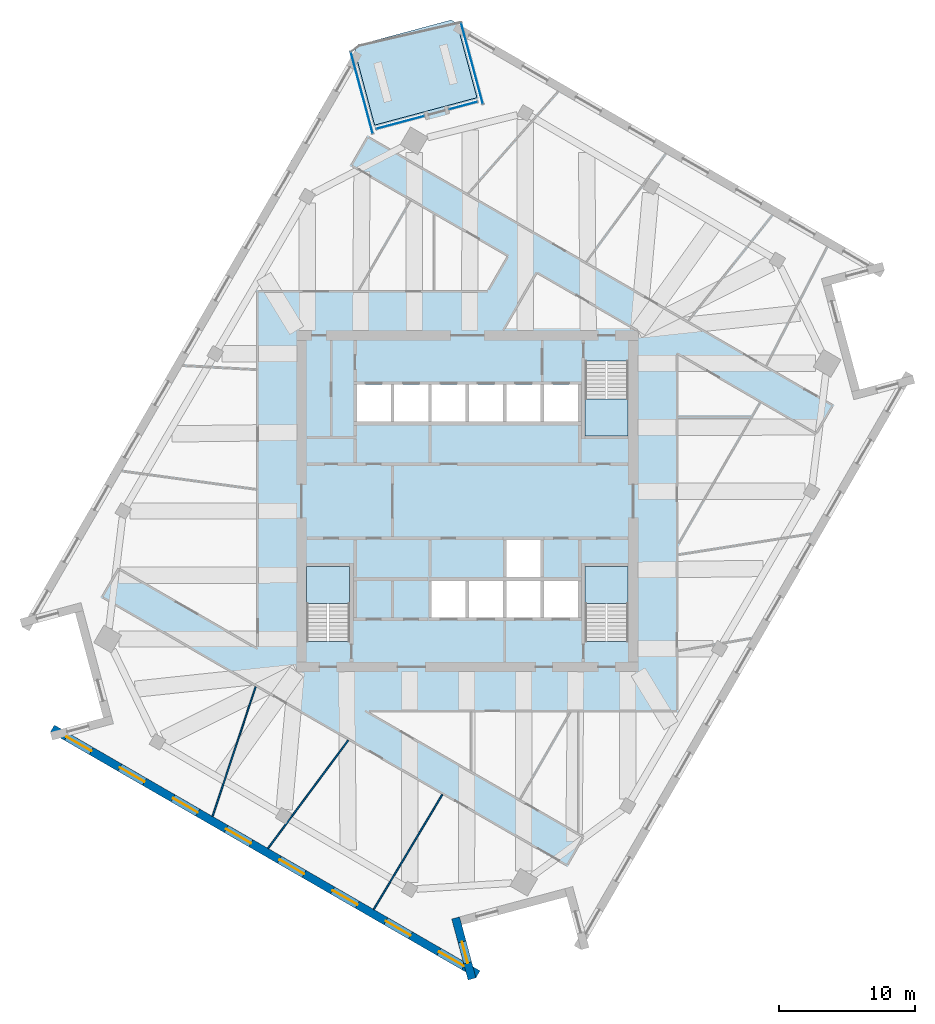
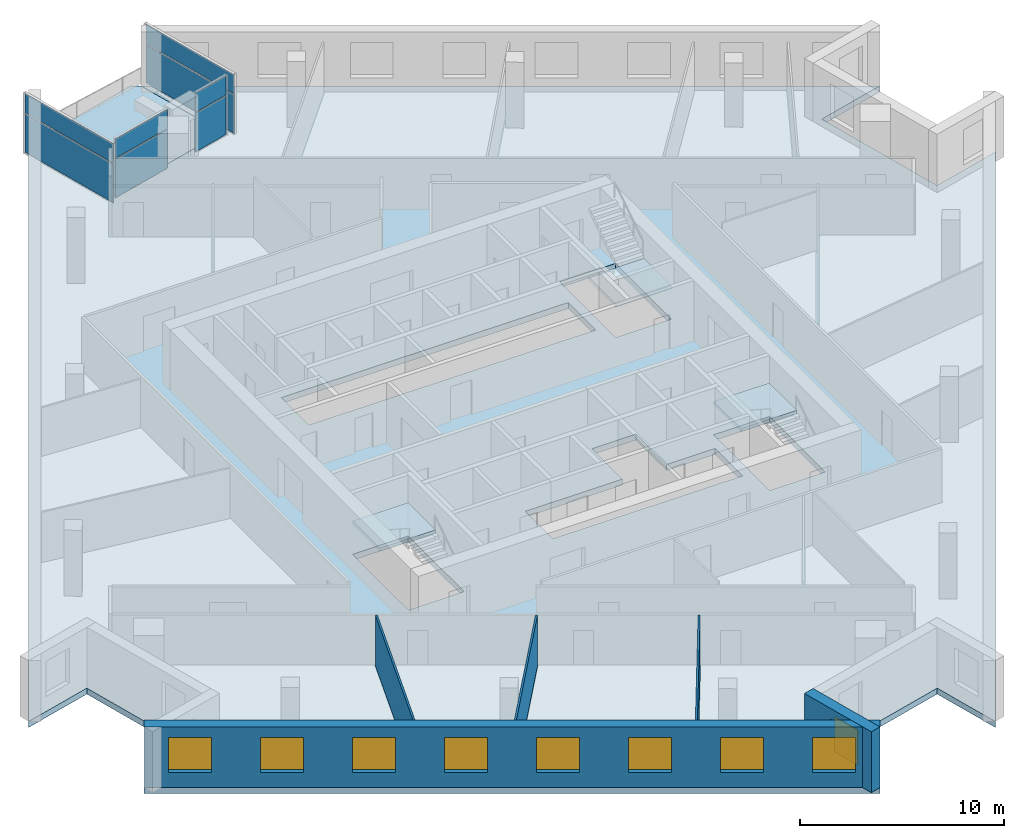
# One storey, part 5 of 13: 9 windows, 8 plates, 5 slabs, 5 walls, 9 openings, 7 elements without a shape of their own.
"""IFC4 building model written with IfcOpenShell, lengths in metres."""

from ifc_helpers import new_model, si_unit, direction, frame, frame_2d, origin, origin_2d, place, context, subcontext, project, spatial, polyline, rectangle, outline, extrude, material, layer, layer_set, type_object, element, fill, aggregate, save


model = new_model("IFC4")

# Units and contexts
model_context = context("Model", 3, precision=1e-05, world=origin(), true_north=direction((0.0, 1.0)))
body_context = subcontext(model_context, "Body", "Model", "MODEL_VIEW")
ifc_project = project(units=[si_unit("LENGTHUNIT", "METRE"), si_unit("AREAUNIT", "SQUARE_METRE"), si_unit("VOLUMEUNIT", "CUBIC_METRE"), si_unit("PLANEANGLEUNIT", "RADIAN"), si_unit("MASSUNIT", "GRAM", prefix="KILO")], contexts=[model_context])

# Site, building, storey
site_placement = place(None, origin())
site = spatial("IfcSite", under=ifc_project, at=site_placement, CompositionType="ELEMENT")
building_placement = place(site_placement, origin())
building = spatial("IfcBuilding", under=site, at=building_placement, Name="Dilmun Exchange Tower", CompositionType="ELEMENT")
storey_placement = place(building_placement, frame((0.0, 0.0, 270.89990234375)))
storey = spatial("IfcBuildingStorey", under=building, at=storey_placement, Name="L64", CompositionType="ELEMENT", Elevation=270.89990234375)

# Stair, slab
ifc_material_1 = material(Name="Concrete C40/50", Category="concrete")
stair_type = type_object("IfcStairType", Name="Exit stair 1500 half-turn", PredefinedType="HALF_TURN_STAIR", material=ifc_material_1)
stair_1_placement = place(storey_placement, origin())
stair_1 = element("IfcStair", 1, at=stair_1_placement, inside=storey, type_object=stair_type, Name="L64 Protected exit stair ST1", PredefinedType="HALF_TURN_STAIR")
ifc_layer_1 = layer(ifc_material_1, 0.199951171875)
ifc_layer_set_1 = layer_set([ifc_layer_1], Name="Concrete C40/50")
slab_type_1 = type_object("IfcSlabType", Name="Exit stair landing 200", PredefinedType="LANDING", material=ifc_layer_set_1)
slab_1_placement = place(storey_placement, frame((0.0, 0.0, 1.800048828125)))
slab_1 = element("IfcSlab", 2, at=slab_1_placement, type_object=slab_type_1, Name="ST1 landing 1", PredefinedType="LANDING", context=body_context, shape_type="SweptSolid", body=[
    extrude(outline(polyline([(8.64990234375, 7.5), (8.64990234375, 4.800048828125), (11.800048828125, 4.800048828125), (11.800048828125, 7.5), (8.64990234375, 7.5)])), origin(), (0.0, 0.0, 1.0), 0.199951171875),
])
aggregate(stair_1, [slab_1])

stair_2_placement = place(storey_placement, origin())
stair_2 = element("IfcStair", 3, at=stair_2_placement, inside=storey, type_object=stair_type, Name="L64 Protected exit stair ST2", PredefinedType="HALF_TURN_STAIR")
slab_2_placement = place(storey_placement, frame((0.0, 0.0, 1.800048828125)))
slab_2 = element("IfcSlab", 4, at=slab_2_placement, type_object=slab_type_1, Name="ST2 landing 1", PredefinedType="LANDING", context=body_context, shape_type="SweptSolid", body=[
    extrude(outline(polyline([(-8.64990234375, -7.5), (-8.64990234375, -4.800048828125), (-11.800048828125, -4.800048828125), (-11.800048828125, -7.5), (-8.64990234375, -7.5)])), origin(), (0.0, 0.0, 1.0), 0.199951171875),
])
aggregate(stair_2, [slab_2])

stair_3_placement = place(storey_placement, origin())
stair_3 = element("IfcStair", 5, at=stair_3_placement, inside=storey, type_object=stair_type, Name="L64 Protected exit stair ST3", PredefinedType="HALF_TURN_STAIR")
slab_3_placement = place(storey_placement, frame((0.0, 0.0, 1.800048828125)))
slab_3 = element("IfcSlab", 6, at=slab_3_placement, type_object=slab_type_1, Name="ST3 landing 1", PredefinedType="LANDING", context=body_context, shape_type="SweptSolid", body=[
    extrude(outline(polyline([(11.800048828125, -7.5), (11.800048828125, -4.800048828125), (8.64990234375, -4.800048828125), (8.64990234375, -7.5), (11.800048828125, -7.5)])), origin(), (0.0, 0.0, 1.0), 0.199951171875),
])
aggregate(stair_3, [slab_3])

# Curtain wall, plates
ifc_material_2 = material(Name="Anodised aluminium and clear glass", Category="aluminium")
curtain_wall_type = type_object("IfcCurtainWallType", Name="Garden corner glazing", PredefinedType="NOTDEFINED", material=ifc_material_2)
curtain_wall_1_placement = place(storey_placement, origin())
curtain_wall_1 = element("IfcCurtainWall", 7, at=curtain_wall_1_placement, inside=storey, type_object=curtain_wall_type, Name="Garden corner glazing run GC1.1", PredefinedType="NOTDEFINED")
ifc_material_3 = material(Name="Clear glass", Category="glass")
ifc_layer_2 = layer(ifc_material_3, 0.028076171875)
ifc_layer_set_2 = layer_set([ifc_layer_2], Name="Clear glass")
plate_type = type_object("IfcPlateType", Name="Garden corner glazing glass panel 28", PredefinedType="CURTAIN_PANEL", material=ifc_layer_set_2)
plate_1_placement = place(storey_placement, frame((0.33642578125, 32.1416015625, 0.06005859375), z_axis=(0.0, 0.0, 1.0), x_axis=(0.258819306883, -0.965925756145, 0.0)))
plate_1 = element("IfcPlate", 8, at=plate_1_placement, type_object=plate_type, Name="GC1.1 panel 1.1", PredefinedType="CURTAIN_PANEL", context=body_context, shape_type="SweptSolid", body=[
    extrude(rectangle(XDim=6.12646484375, YDim=0.028076171875, at=origin_2d()), origin(), (0.0, 0.0, 1.0), 2.31005859375),
])
plate_2_placement = place(storey_placement, frame((0.33642578125, 32.1416015625, 2.43017578125), z_axis=(0.0, 0.0, 1.0), x_axis=(0.258819306883, -0.965925756145, 0.0)))
plate_2 = element("IfcPlate", 9, at=plate_2_placement, type_object=plate_type, Name="GC1.1 panel 1.2", PredefinedType="CURTAIN_PANEL", context=body_context, shape_type="SweptSolid", body=[
    extrude(rectangle(XDim=6.12646484375, YDim=0.028076171875, at=origin_2d()), origin(), (0.0, 0.0, 1.0), 1.14990234375),
])
aggregate(curtain_wall_1, [plate_1, plate_2])

curtain_wall_2_placement = place(storey_placement, origin())
curtain_wall_2 = element("IfcCurtainWall", 10, at=curtain_wall_2_placement, inside=storey, type_object=curtain_wall_type, Name="Garden corner glazing run GC2.1", PredefinedType="NOTDEFINED")
plate_3_placement = place(storey_placement, frame((-0.303955078125, 29.047119140625, 0.06005859375), z_axis=(0.0, 0.0, 1.0), x_axis=(-0.965928116621, -0.258810497317, 0.0)))
plate_3 = element("IfcPlate", 11, at=plate_3_placement, type_object=plate_type, Name="GC2.1 panel 1.1", PredefinedType="CURTAIN_PANEL", context=body_context, shape_type="SweptSolid", body=[
    extrude(rectangle(XDim=2.119140625, YDim=0.028076171875, at=origin_2d()), origin(), (0.0, 0.0, 1.0), 2.31005859375),
])
plate_4_placement = place(storey_placement, frame((-0.303955078125, 29.047119140625, 2.43017578125), z_axis=(0.0, 0.0, 1.0), x_axis=(-0.965928116621, -0.258810497317, 0.0)))
plate_4 = element("IfcPlate", 12, at=plate_4_placement, type_object=plate_type, Name="GC2.1 panel 1.2", PredefinedType="CURTAIN_PANEL", context=body_context, shape_type="SweptSolid", body=[
    extrude(rectangle(XDim=2.119140625, YDim=0.028076171875, at=origin_2d()), origin(), (0.0, 0.0, 1.0), 1.14990234375),
])
aggregate(curtain_wall_2, [plate_3, plate_4])

curtain_wall_3_placement = place(storey_placement, origin())
curtain_wall_3 = element("IfcCurtainWall", 13, at=curtain_wall_3_placement, inside=storey, type_object=curtain_wall_type, Name="Garden corner glazing run GC2.3", PredefinedType="NOTDEFINED")
plate_5_placement = place(storey_placement, frame((-4.929931640625, 27.8076171875, 0.06005859375), z_axis=(0.0, 0.0, 1.0), x_axis=(-0.965927518126, -0.258812731, 0.0)))
plate_5 = element("IfcPlate", 14, at=plate_5_placement, type_object=plate_type, Name="GC2.3 panel 1.1", PredefinedType="CURTAIN_PANEL", context=body_context, shape_type="SweptSolid", body=[
    extrude(rectangle(XDim=3.618896484375, YDim=0.028076171875, at=origin_2d()), origin(), (0.0, 0.0, 1.0), 2.31005859375),
])
plate_6_placement = place(storey_placement, frame((-4.929931640625, 27.8076171875, 2.43017578125), z_axis=(0.0, 0.0, 1.0), x_axis=(-0.965927518126, -0.258812731, 0.0)))
plate_6 = element("IfcPlate", 15, at=plate_6_placement, type_object=plate_type, Name="GC2.3 panel 1.2", PredefinedType="CURTAIN_PANEL", context=body_context, shape_type="SweptSolid", body=[
    extrude(rectangle(XDim=3.618896484375, YDim=0.028076171875, at=origin_2d()), origin(), (0.0, 0.0, 1.0), 1.14990234375),
])
aggregate(curtain_wall_3, [plate_5, plate_6])

curtain_wall_4_placement = place(storey_placement, origin())
curtain_wall_4 = element("IfcCurtainWall", 16, at=curtain_wall_4_placement, inside=storey, type_object=curtain_wall_type, Name="Garden corner glazing run GC3.1", PredefinedType="NOTDEFINED")
plate_7_placement = place(storey_placement, frame((-7.75634765625, 29.97314453125, 0.06005859375), z_axis=(0.0, 0.0, 1.0), x_axis=(-0.258819306883, 0.965925756145, 0.0)))
plate_7 = element("IfcPlate", 17, at=plate_7_placement, type_object=plate_type, Name="GC3.1 panel 1.1", PredefinedType="CURTAIN_PANEL", context=body_context, shape_type="SweptSolid", body=[
    extrude(rectangle(XDim=6.12646484375, YDim=0.028076171875, at=origin_2d()), origin(), (0.0, 0.0, 1.0), 2.31005859375),
])
plate_8_placement = place(storey_placement, frame((-7.75634765625, 29.97314453125, 2.43017578125), z_axis=(0.0, 0.0, 1.0), x_axis=(-0.258819306883, 0.965925756145, 0.0)))
plate_8 = element("IfcPlate", 18, at=plate_8_placement, type_object=plate_type, Name="GC3.1 panel 1.2", PredefinedType="CURTAIN_PANEL", context=body_context, shape_type="SweptSolid", body=[
    extrude(rectangle(XDim=6.12646484375, YDim=0.028076171875, at=origin_2d()), origin(), (0.0, 0.0, 1.0), 1.14990234375),
])
aggregate(curtain_wall_4, [plate_7, plate_8])

# Slabs
ifc_layer_3 = layer(ifc_material_1, 0.360107421875)
ifc_layer_set_3 = layer_set([ifc_layer_3], Name="Concrete C40/50")
slab_type_2 = type_object("IfcSlabType", Name="RC floor slab 360", PredefinedType="FLOOR", material=ifc_layer_set_3)
slab_4_placement = place(storey_placement, frame((0.0, 0.0, -0.35986328125)))
element("IfcSlab", 19, at=slab_4_placement, inside=storey, type_object=slab_type_2, Name="Floor slab", PredefinedType="FLOOR", context=body_context, shape_type="SweptSolid", body=[
    extrude(outline(polyline([(26.727783203125, 15.914794921875), (28.79833984375, 8.187255859375), (32.6962890625, 9.231689453125), (8.353271484375, -32.931884765625), (7.308837890625, -29.03369140625), (-0.418701171875, -31.104248046875), (0.625732421875, -35.002197265625), (-30.625732421875, -16.959228515625), (-26.727783203125, -15.914794921875), (-28.79833984375, -8.187255859375), (-32.6962890625, -9.231689453125), (-8.27490234375, 33.067626953125), (-6.8134765625, 27.613525390625), (0.69970703125, 29.626708984375), (-0.76171875, 35.080810546875), (30.625732421875, 16.959228515625), (26.727783203125, 15.914794921875)]), holes=[polyline([(-8.64990234375, -4.800048828125), (-11.800048828125, -4.800048828125), (-11.800048828125, -10.294921875), (-8.64990234375, -10.294921875), (-8.64990234375, -4.800048828125)]), polyline([(11.800048828125, -4.800048828125), (8.64990234375, -4.800048828125), (8.64990234375, -10.294921875), (11.800048828125, -10.294921875), (11.800048828125, -4.800048828125)]), polyline([(2.875, -5.85009765625), (-2.625, -5.85009765625), (-2.625, -8.550048828125), (8.125, -8.550048828125), (8.125, -5.85009765625), (5.375, -5.85009765625), (5.375, -2.85009765625), (2.875, -2.85009765625), (2.875, -5.85009765625)]), polyline([(8.125, 5.85009765625), (8.125, 8.550048828125), (-8.125, 8.550048828125), (-8.125, 5.85009765625), (8.125, 5.85009765625)]), polyline([(8.64990234375, 10.294921875), (8.64990234375, 4.800048828125), (11.800048828125, 4.800048828125), (11.800048828125, 10.294921875), (8.64990234375, 10.294921875)])]), origin(), (0.0, 0.0, 1.0), 0.35986328125),
])
ifc_layer_4 = layer(ifc_material_1, 0.300048828125)
ifc_layer_set_4 = layer_set([ifc_layer_4], Name="Concrete C40/50")
slab_type_3 = type_object("IfcSlabType", Name="RC garden terrace slab 300", PredefinedType="FLOOR", material=ifc_layer_set_4)
slab_5_placement = place(storey_placement, frame((0.0, 0.0, -0.2998046875)))
element("IfcSlab", 20, at=slab_5_placement, inside=storey, type_object=slab_type_3, Name="Garden terrace slab", PredefinedType="FLOOR", context=body_context, shape_type="SweptSolid", body=[
    extrude(outline(polyline([(-6.8134765625, 27.613525390625), (-8.27490234375, 33.067626953125), (-8.02490234375, 33.50048828125), (-1.194580078125, 35.330810546875), (-0.76171875, 35.080810546875), (0.69970703125, 29.626708984375), (-6.8134765625, 27.613525390625)])), origin(), (0.0, 0.0, 1.0), 0.2998046875),
])

# Walls
ifc_material_4 = material(Name="Partition 100")
ifc_layer_5 = layer(ifc_material_4, 0.10009765625)
ifc_layer_set_5 = layer_set([ifc_layer_5], Name="Partition 100")
wall_type_1 = type_object("IfcWallType", Name="Partition 100", PredefinedType="PARTITIONING", material=ifc_layer_set_5)
wall_1_placement = place(storey_placement, frame((-18.711181640625, -23.142822265625, 0.0), z_axis=(0.0, 0.0, 1.0), x_axis=(0.315197061925, 0.949026244186, 0.0)))
element("IfcWall", 21, at=wall_1_placement, inside=storey, type_object=wall_type_1, Name="Partition", PredefinedType="PARTITIONING", context=body_context, shape_type="SweptSolid", body=[
    extrude(rectangle(XDim=10.021240234375, YDim=0.10009765625, at=frame_2d((5.0107421875, 0.0))), origin(), (0.0, 0.0, 1.0), 3.0400390625),
])
wall_2_placement = place(storey_placement, frame((-14.639892578125, -25.493408203125, 0.0), z_axis=(0.0, 0.0, 1.0), x_axis=(0.596096620962, 0.802912709127, 0.0)))
element("IfcWall", 22, at=wall_2_placement, inside=storey, type_object=wall_type_1, Name="Partition", PredefinedType="PARTITIONING", context=body_context, shape_type="SweptSolid", body=[
    extrude(rectangle(XDim=9.88525390625, YDim=0.10009765625, at=frame_2d((4.942626953125, 0.0))), origin(), (0.0, 0.0, 1.0), 3.0400390625),
])
wall_3_placement = place(storey_placement, frame((-6.87841796875, -29.974609375, 0.0), z_axis=(0.0, 0.0, 1.0), x_axis=(0.512748240754, 0.858539015772, 0.0)))
element("IfcWall", 23, at=wall_3_placement, inside=storey, type_object=wall_type_1, Name="Partition", PredefinedType="PARTITIONING", context=body_context, shape_type="SweptSolid", body=[
    extrude(rectangle(XDim=9.82666015625, YDim=0.10009765625, at=frame_2d((4.913330078125, 0.0))), origin(), (0.0, 0.0, 1.0), 3.0400390625),
])

# Wall, openings, windows
ifc_material_5 = material(Name="Precast concrete C50/60", Category="concrete")
ifc_layer_6 = layer(ifc_material_5, 0.60009765625)
ifc_layer_set_6 = layer_set([ifc_layer_6], Name="Precast concrete C50/60")
wall_type_2 = type_object("IfcWallType", Name="Precast stone-clad wall 600", PredefinedType="STANDARD", material=ifc_layer_set_6)
wall_4_placement = place(storey_placement, frame((-30.475830078125, -16.699462890625, 0.0), z_axis=(0.0, 0.0, 1.0), x_axis=(0.866027969777, -0.499995555543, 0.0)))
wall_4 = element("IfcWall", 24, at=wall_4_placement, inside=storey, type_object=wall_type_2, Name="Facade wall L64-07", PredefinedType="STANDARD", context=body_context, shape_type="SweptSolid", body=[
    extrude(rectangle(XDim=36.086181640625, YDim=0.60009765625, at=frame_2d((18.04296875, 0.0))), origin(), (0.0, 0.0, 1.0), 3.64013671875),
])
opening_1_placement = place(wall_4_placement, frame((1.205322265625, 0.0, 0.89990234375)))
opening_1 = element("IfcOpeningElement", 25, at=opening_1_placement, cuts=wall_4, Name="Opening W210-210", PredefinedType="OPENING", context=body_context, shape_type="SweptSolid", body=[
    extrude(rectangle(XDim=2.10009765625, YDim=2.10009765625, at=frame_2d((1.050048828125, 1.050048828125))), frame((0.0, 0.31005859375, 0.0), z_axis=(0.0, -1.0, 0.0), x_axis=(1.0, 0.0, 0.0)), (0.0, 0.0, 1.0), 0.6201171875),
])
opening_2_placement = place(wall_4_placement, frame((5.71630859375, 0.0, 0.89990234375)))
opening_2 = element("IfcOpeningElement", 26, at=opening_2_placement, cuts=wall_4, Name="Opening W210-210", PredefinedType="OPENING", context=body_context, shape_type="SweptSolid", body=[
    extrude(rectangle(XDim=2.10009765625, YDim=2.10009765625, at=frame_2d((1.050048828125, 1.050048828125))), frame((0.0, 0.31005859375, 0.0), z_axis=(0.0, -1.0, 0.0), x_axis=(1.0, 0.0, 0.0)), (0.0, 0.0, 1.0), 0.6201171875),
])
opening_3_placement = place(wall_4_placement, frame((10.22705078125, 0.0, 0.89990234375)))
opening_3 = element("IfcOpeningElement", 27, at=opening_3_placement, cuts=wall_4, Name="Opening W210-210", PredefinedType="OPENING", context=body_context, shape_type="SweptSolid", body=[
    extrude(rectangle(XDim=2.10009765625, YDim=2.10009765625, at=frame_2d((1.050048828125, 1.050048828125))), frame((0.0, 0.31005859375, 0.0), z_axis=(0.0, -1.0, 0.0), x_axis=(1.0, 0.0, 0.0)), (0.0, 0.0, 1.0), 0.6201171875),
])
opening_4_placement = place(wall_4_placement, frame((14.73779296875, 0.0, 0.89990234375)))
opening_4 = element("IfcOpeningElement", 28, at=opening_4_placement, cuts=wall_4, Name="Opening W210-210", PredefinedType="OPENING", context=body_context, shape_type="SweptSolid", body=[
    extrude(rectangle(XDim=2.10009765625, YDim=2.10009765625, at=frame_2d((1.050048828125, 1.050048828125))), frame((0.0, 0.31005859375, 0.0), z_axis=(0.0, -1.0, 0.0), x_axis=(1.0, 0.0, 0.0)), (0.0, 0.0, 1.0), 0.6201171875),
])
opening_5_placement = place(wall_4_placement, frame((19.24853515625, 0.0, 0.89990234375)))
opening_5 = element("IfcOpeningElement", 29, at=opening_5_placement, cuts=wall_4, Name="Opening W210-210", PredefinedType="OPENING", context=body_context, shape_type="SweptSolid", body=[
    extrude(rectangle(XDim=2.10009765625, YDim=2.10009765625, at=frame_2d((1.050048828125, 1.050048828125))), frame((0.0, 0.31005859375, 0.0), z_axis=(0.0, -1.0, 0.0), x_axis=(1.0, 0.0, 0.0)), (0.0, 0.0, 1.0), 0.6201171875),
])
opening_6_placement = place(wall_4_placement, frame((23.75927734375, 0.0, 0.89990234375)))
opening_6 = element("IfcOpeningElement", 30, at=opening_6_placement, cuts=wall_4, Name="Opening W210-210", PredefinedType="OPENING", context=body_context, shape_type="SweptSolid", body=[
    extrude(rectangle(XDim=2.10009765625, YDim=2.10009765625, at=frame_2d((1.050048828125, 1.050048828125))), frame((0.0, 0.31005859375, 0.0), z_axis=(0.0, -1.0, 0.0), x_axis=(1.0, 0.0, 0.0)), (0.0, 0.0, 1.0), 0.6201171875),
])
opening_7_placement = place(wall_4_placement, frame((28.27001953125, 0.0, 0.89990234375)))
opening_7 = element("IfcOpeningElement", 31, at=opening_7_placement, cuts=wall_4, Name="Opening W210-210", PredefinedType="OPENING", context=body_context, shape_type="SweptSolid", body=[
    extrude(rectangle(XDim=2.10009765625, YDim=2.10009765625, at=frame_2d((1.050048828125, 1.050048828125))), frame((0.0, 0.31005859375, 0.0), z_axis=(0.0, -1.0, 0.0), x_axis=(1.0, 0.0, 0.0)), (0.0, 0.0, 1.0), 0.6201171875),
])
opening_8_placement = place(wall_4_placement, frame((32.781005859375, 0.0, 0.89990234375)))
opening_8 = element("IfcOpeningElement", 32, at=opening_8_placement, cuts=wall_4, Name="Opening W210-210", PredefinedType="OPENING", context=body_context, shape_type="SweptSolid", body=[
    extrude(rectangle(XDim=2.10009765625, YDim=2.10009765625, at=frame_2d((1.050048828125, 1.050048828125))), frame((0.0, 0.31005859375, 0.0), z_axis=(0.0, -1.0, 0.0), x_axis=(1.0, 0.0, 0.0)), (0.0, 0.0, 1.0), 0.6201171875),
])
ifc_material_6 = material(Name="Clear low-emissivity glass in aluminium frame", Category="aluminium")
window_type_1 = type_object("IfcWindowType", Name="Punched window 2100 x 2100", PartitioningType="DOUBLE_PANEL_VERTICAL", PredefinedType="WINDOW", material=ifc_material_6)
window_1_placement = place(opening_1_placement, origin())
window_1 = element("IfcWindow", 33, at=window_1_placement, inside=storey, type_object=window_type_1, Name="Window 8.1", OverallHeight=2.10009765625, OverallWidth=2.10009765625, PartitioningType="SINGLE_PANEL", PredefinedType="WINDOW", context=body_context, shape_type="SweptSolid", body=[
    extrude(rectangle(XDim=2.10009765625, YDim=2.10009765625, at=frame_2d((1.050048828125, 1.050048828125))), frame((0.0, 0.030029296875, 0.0), z_axis=(0.0, -1.0, 0.0), x_axis=(1.0, 0.0, 0.0)), (0.0, 0.0, 1.0), 0.06005859375),
])
fill(opening_1, window_1)
window_2_placement = place(opening_2_placement, origin())
window_2 = element("IfcWindow", 34, at=window_2_placement, inside=storey, type_object=window_type_1, Name="Window 8.2", OverallHeight=2.10009765625, OverallWidth=2.10009765625, PartitioningType="SINGLE_PANEL", PredefinedType="WINDOW", context=body_context, shape_type="SweptSolid", body=[
    extrude(rectangle(XDim=2.10009765625, YDim=2.10009765625, at=frame_2d((1.050048828125, 1.050048828125))), frame((0.0, 0.030029296875, 0.0), z_axis=(0.0, -1.0, 0.0), x_axis=(1.0, 0.0, 0.0)), (0.0, 0.0, 1.0), 0.06005859375),
])
fill(opening_2, window_2)
window_3_placement = place(opening_3_placement, origin())
window_3 = element("IfcWindow", 35, at=window_3_placement, inside=storey, type_object=window_type_1, Name="Window 8.3", OverallHeight=2.10009765625, OverallWidth=2.10009765625, PartitioningType="SINGLE_PANEL", PredefinedType="WINDOW", context=body_context, shape_type="SweptSolid", body=[
    extrude(rectangle(XDim=2.10009765625, YDim=2.10009765625, at=frame_2d((1.050048828125, 1.050048828125))), frame((0.0, 0.030029296875, 0.0), z_axis=(0.0, -1.0, 0.0), x_axis=(1.0, 0.0, 0.0)), (0.0, 0.0, 1.0), 0.06005859375),
])
fill(opening_3, window_3)
window_4_placement = place(opening_4_placement, origin())
window_4 = element("IfcWindow", 36, at=window_4_placement, inside=storey, type_object=window_type_1, Name="Window 8.4", OverallHeight=2.10009765625, OverallWidth=2.10009765625, PartitioningType="SINGLE_PANEL", PredefinedType="WINDOW", context=body_context, shape_type="SweptSolid", body=[
    extrude(rectangle(XDim=2.10009765625, YDim=2.10009765625, at=frame_2d((1.050048828125, 1.050048828125))), frame((0.0, 0.030029296875, 0.0), z_axis=(0.0, -1.0, 0.0), x_axis=(1.0, 0.0, 0.0)), (0.0, 0.0, 1.0), 0.06005859375),
])
fill(opening_4, window_4)
window_5_placement = place(opening_5_placement, origin())
window_5 = element("IfcWindow", 37, at=window_5_placement, inside=storey, type_object=window_type_1, Name="Window 8.5", OverallHeight=2.10009765625, OverallWidth=2.10009765625, PartitioningType="SINGLE_PANEL", PredefinedType="WINDOW", context=body_context, shape_type="SweptSolid", body=[
    extrude(rectangle(XDim=2.10009765625, YDim=2.10009765625, at=frame_2d((1.050048828125, 1.050048828125))), frame((0.0, 0.030029296875, 0.0), z_axis=(0.0, -1.0, 0.0), x_axis=(1.0, 0.0, 0.0)), (0.0, 0.0, 1.0), 0.06005859375),
])
fill(opening_5, window_5)
window_6_placement = place(opening_6_placement, origin())
window_6 = element("IfcWindow", 38, at=window_6_placement, inside=storey, type_object=window_type_1, Name="Window 8.6", OverallHeight=2.10009765625, OverallWidth=2.10009765625, PartitioningType="SINGLE_PANEL", PredefinedType="WINDOW", context=body_context, shape_type="SweptSolid", body=[
    extrude(rectangle(XDim=2.10009765625, YDim=2.10009765625, at=frame_2d((1.050048828125, 1.050048828125))), frame((0.0, 0.030029296875, 0.0), z_axis=(0.0, -1.0, 0.0), x_axis=(1.0, 0.0, 0.0)), (0.0, 0.0, 1.0), 0.06005859375),
])
fill(opening_6, window_6)
window_7_placement = place(opening_7_placement, origin())
window_7 = element("IfcWindow", 39, at=window_7_placement, inside=storey, type_object=window_type_1, Name="Window 8.7", OverallHeight=2.10009765625, OverallWidth=2.10009765625, PartitioningType="SINGLE_PANEL", PredefinedType="WINDOW", context=body_context, shape_type="SweptSolid", body=[
    extrude(rectangle(XDim=2.10009765625, YDim=2.10009765625, at=frame_2d((1.050048828125, 1.050048828125))), frame((0.0, 0.030029296875, 0.0), z_axis=(0.0, -1.0, 0.0), x_axis=(1.0, 0.0, 0.0)), (0.0, 0.0, 1.0), 0.06005859375),
])
fill(opening_7, window_7)
window_8_placement = place(opening_8_placement, origin())
window_8 = element("IfcWindow", 40, at=window_8_placement, inside=storey, type_object=window_type_1, Name="Window 8.8", OverallHeight=2.10009765625, OverallWidth=2.10009765625, PartitioningType="SINGLE_PANEL", PredefinedType="WINDOW", context=body_context, shape_type="SweptSolid", body=[
    extrude(rectangle(XDim=2.10009765625, YDim=2.10009765625, at=frame_2d((1.050048828125, 1.050048828125))), frame((0.0, 0.030029296875, 0.0), z_axis=(0.0, -1.0, 0.0), x_axis=(1.0, 0.0, 0.0)), (0.0, 0.0, 1.0), 0.06005859375),
])
fill(opening_8, window_8)

# Wall, opening, window
wall_5_placement = place(storey_placement, frame((0.3359375, -35.080078125, 0.0), z_axis=(0.0, 0.0, 1.0), x_axis=(-0.258796631638, 0.96593183168, 0.0)))
wall_5 = element("IfcWall", 41, at=wall_5_placement, inside=storey, type_object=wall_type_2, Name="Facade wall L64-08", PredefinedType="STANDARD", context=body_context, shape_type="SweptSolid", body=[
    extrude(rectangle(XDim=4.6357421875, YDim=0.60009765625, at=frame_2d((2.31787109375, 0.0))), origin(), (0.0, 0.0, 1.0), 3.64013671875),
])
opening_9_placement = place(wall_5_placement, frame((1.2177734375, 0.0, 0.89990234375)))
opening_9 = element("IfcOpeningElement", 42, at=opening_9_placement, cuts=wall_5, Name="Opening W160-210", PredefinedType="OPENING", context=body_context, shape_type="SweptSolid", body=[
    extrude(rectangle(XDim=1.60009765625, YDim=2.10009765625, at=frame_2d((0.800048828125, 1.050048828125))), frame((0.0, 0.31005859375, 0.0), z_axis=(0.0, -1.0, 0.0), x_axis=(1.0, 0.0, 0.0)), (0.0, 0.0, 1.0), 0.6201171875),
])
window_type_2 = type_object("IfcWindowType", Name="Punched window 1600 x 2100", PartitioningType="DOUBLE_PANEL_VERTICAL", PredefinedType="WINDOW", material=ifc_material_6)
window_9_placement = place(opening_9_placement, origin())
window_9 = element("IfcWindow", 43, at=window_9_placement, inside=storey, type_object=window_type_2, Name="Window 9.1", OverallHeight=2.10009765625, OverallWidth=1.60009765625, PartitioningType="SINGLE_PANEL", PredefinedType="WINDOW", context=body_context, shape_type="SweptSolid", body=[
    extrude(rectangle(XDim=1.60009765625, YDim=2.10009765625, at=frame_2d((0.800048828125, 1.050048828125))), frame((0.0, 0.030029296875, 0.0), z_axis=(0.0, -1.0, 0.0), x_axis=(1.0, 0.0, 0.0)), (0.0, 0.0, 1.0), 0.06005859375),
])
fill(opening_9, window_9)

save(model, "model.ifc")
